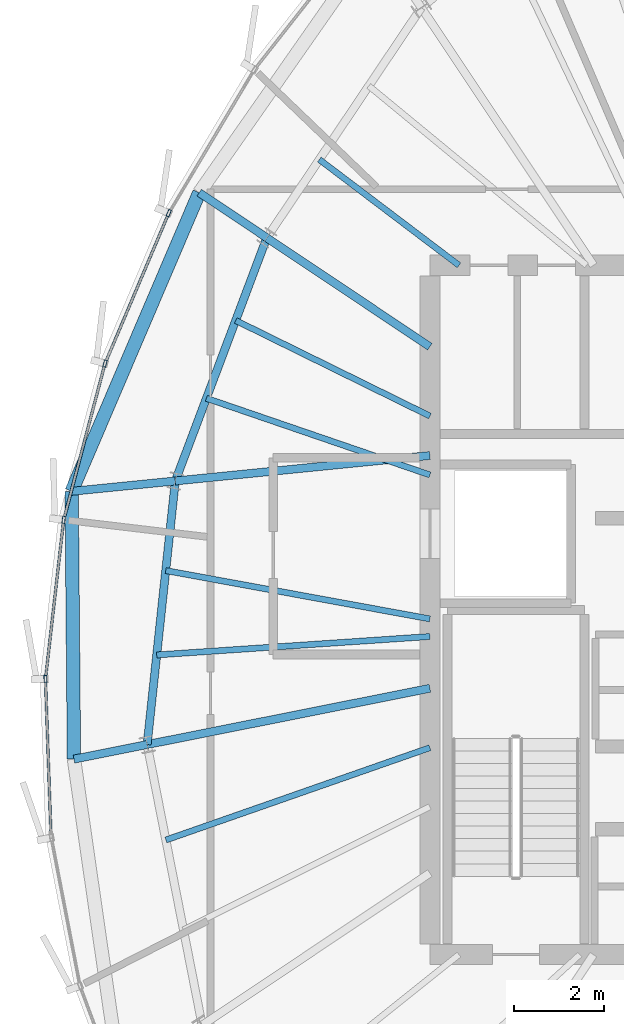
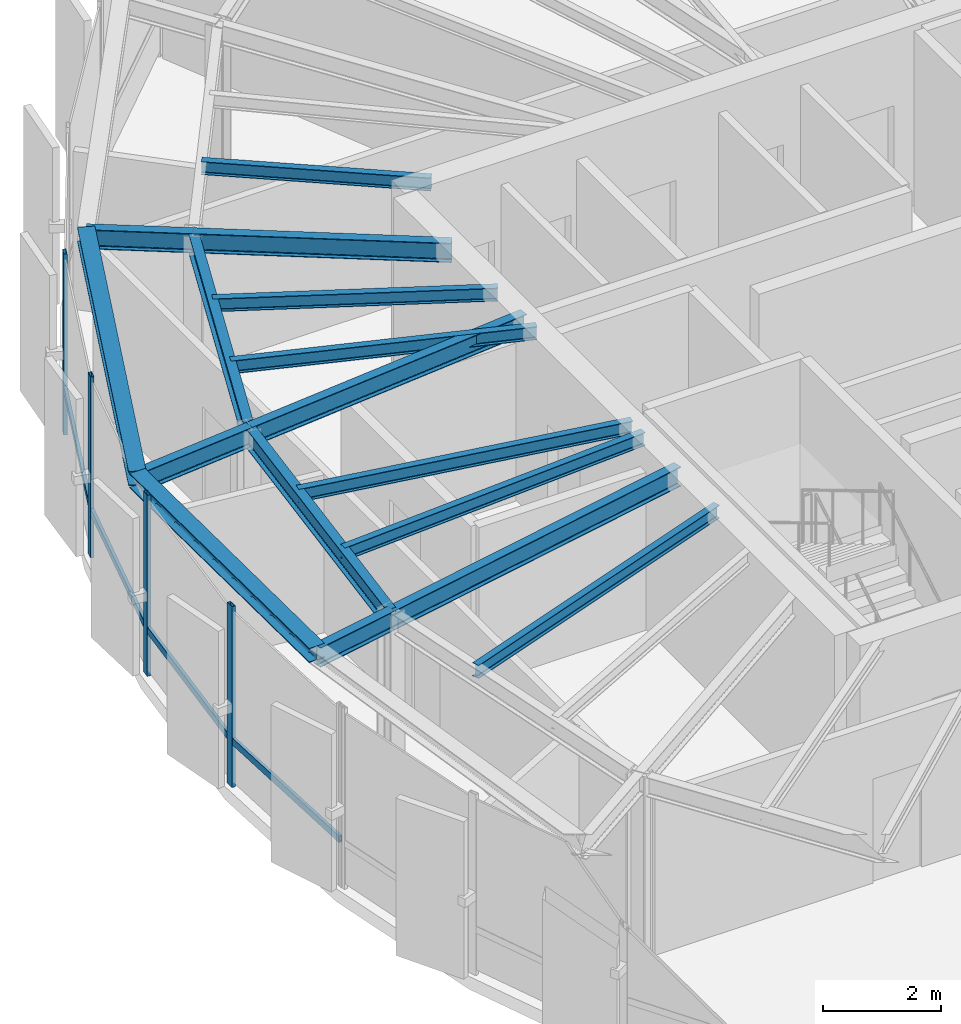
# One storey, part 10 of 26: 16 beams, 8 members, 1 element without a shape of its own.
"""IFC4 building model written with IfcOpenShell, lengths in metres."""

from ifc_helpers import new_model, si_unit, direction, frame, origin, origin_2d, place, context, subcontext, project, spatial, hollow_rectangle, i_section, extrude, source, transform, mapped, material, layer, layer_set, material_profile, profile_set, type_object, element, aggregate, save


model = new_model("IFC4")

# Units and contexts
model_context = context("Model", 3, precision=1e-05, world=origin(), true_north=direction((0.0, 1.0)))
body_context = subcontext(model_context, "Body", "Model", "MODEL_VIEW")
ifc_project = project(units=[si_unit("LENGTHUNIT", "METRE"), si_unit("AREAUNIT", "SQUARE_METRE"), si_unit("VOLUMEUNIT", "CUBIC_METRE"), si_unit("PLANEANGLEUNIT", "RADIAN"), si_unit("MASSUNIT", "GRAM", prefix="KILO"), si_unit("THERMODYNAMICTEMPERATUREUNIT", "KELVIN")], contexts=[model_context])

# Site, building, storey
site_placement = place(None, origin())
site = spatial("IfcSite", under=ifc_project, at=site_placement, CompositionType="ELEMENT")
building_placement = place(site_placement, origin())
building = spatial("IfcBuilding", under=site, at=building_placement, Name="Kethvar Cultural Tower", CompositionType="ELEMENT")
storey_placement = place(building_placement, frame((0.0, 0.0, 320.300048828125)))
storey = spatial("IfcBuildingStorey", under=building, at=storey_placement, Name="L85", CompositionType="ELEMENT", Elevation=320.300048828125)

# Beams
ifc_material_1 = material(Name="Steel S355J2", Category="steel")
ifc_material_profile_1 = material_profile(ifc_material_1, i_section(OverallWidth=0.135009765625, OverallDepth=0.27001953125, WebThickness=0.006591796875, FlangeThickness=0.01025390625, FilletRadius=0.014892578125, at=origin_2d()), Name="Steel S355J2 — IPE270")
ifc_profile_set_1 = profile_set([ifc_material_profile_1], Name="Steel S355J2 — IPE270")
beam_type_1 = type_object("IfcBeamType", Name="BM-J270", PredefinedType="JOIST", material=ifc_profile_set_1)
shared_shape_1 = source(origin(), body_context, "Body", "SweptSolid", [
    extrude(i_section(OverallWidth=0.135009765625, OverallDepth=0.27001953125, WebThickness=0.006591796875, FlangeThickness=0.01025390625, FilletRadius=0.014892578125, at=origin_2d()), origin(), (0.0, 0.0, 1.0), 3.91357421875),
])
beam_1_placement = place(storey_placement, frame((38.64990234375, 35.5, 3.597900390625), z_axis=(-0.797214062325, 0.603696727531, 0.0), x_axis=(-0.603696727531, -0.797214062325, 0.0)))
element("IfcBeam", 1, at=beam_1_placement, inside=storey, type_object=beam_type_1, Name="L85 Composite Floor Joist J-06B", PredefinedType="JOIST", context=body_context, shape_type="MappedRepresentation", body=[
    mapped(shared_shape_1, transform((0.0, 0.0, 0.0), scale=1.0)),
])
shared_shape_2 = source(origin(), body_context, "Body", "SweptSolid", [
    extrude(i_section(OverallWidth=0.135009765625, OverallDepth=0.27001953125, WebThickness=0.006591796875, FlangeThickness=0.01025390625, FilletRadius=0.014892578125, at=origin_2d()), origin(), (0.0, 0.0, 1.0), 4.8359375),
])
beam_2_placement = place(storey_placement, frame((38.0, 32.1318359375, 3.597900390625), z_axis=(-0.897196527088, 0.441631511308, 0.0), x_axis=(-0.441631511308, -0.897196527088, 0.0)))
element("IfcBeam", 2, at=beam_2_placement, inside=storey, type_object=beam_type_1, Name="L85 Composite Floor Joist J-07A", PredefinedType="JOIST", context=body_context, shape_type="MappedRepresentation", body=[
    mapped(shared_shape_2, transform((0.0, 0.0, 0.0), scale=1.0)),
])
shared_shape_3 = source(origin(), body_context, "Body", "SweptSolid", [
    extrude(i_section(OverallWidth=0.135009765625, OverallDepth=0.27001953125, WebThickness=0.006591796875, FlangeThickness=0.01025390625, FilletRadius=0.014892578125, at=origin_2d()), origin(), (0.0, 0.0, 1.0), 5.2783203125),
])
beam_3_placement = place(storey_placement, frame((38.0, 30.817138671875, 3.597900390625), z_axis=(-0.945942702368, 0.324333784607, 0.0), x_axis=(-0.324333784607, -0.945942702368, 0.0)))
element("IfcBeam", 3, at=beam_3_placement, inside=storey, type_object=beam_type_1, Name="L85 Composite Floor Joist J-07B", PredefinedType="JOIST", context=body_context, shape_type="MappedRepresentation", body=[
    mapped(shared_shape_3, transform((0.0, 0.0, 0.0), scale=1.0)),
])
shared_shape_4 = source(origin(), body_context, "Body", "SweptSolid", [
    extrude(i_section(OverallWidth=0.135009765625, OverallDepth=0.27001953125, WebThickness=0.006591796875, FlangeThickness=0.01025390625, FilletRadius=0.014892578125, at=origin_2d()), origin(), (0.0, 0.0, 1.0), 5.99951171875),
])
beam_4_placement = place(storey_placement, frame((38.0, 27.60009765625, 3.597900390625), z_axis=(-0.983676616141, 0.179945310742, 0.0), x_axis=(-0.179945310742, -0.983676616141, 0.0)))
element("IfcBeam", 4, at=beam_4_placement, inside=storey, type_object=beam_type_1, Name="L85 Composite Floor Joist J-08A", PredefinedType="JOIST", context=body_context, shape_type="MappedRepresentation", body=[
    mapped(shared_shape_4, transform((0.0, 0.0, 0.0), scale=1.0)),
])
shared_shape_5 = source(origin(), body_context, "Body", "SweptSolid", [
    extrude(i_section(OverallWidth=0.135009765625, OverallDepth=0.27001953125, WebThickness=0.006591796875, FlangeThickness=0.01025390625, FilletRadius=0.014892578125, at=origin_2d()), origin(), (0.0, 0.0, 1.0), 6.116943359375),
])
beam_5_placement = place(storey_placement, frame((38.0, 27.206787109375, 3.597900390625), z_axis=(-0.997733289627, -0.067292516454, 0.0), x_axis=(0.067292516454, -0.997733289627, 0.0)))
element("IfcBeam", 5, at=beam_5_placement, inside=storey, type_object=beam_type_1, Name="L85 Composite Floor Joist J-08B", PredefinedType="JOIST", context=body_context, shape_type="MappedRepresentation", body=[
    mapped(shared_shape_5, transform((0.0, 0.0, 0.0), scale=1.0)),
])
shared_shape_6 = source(origin(), body_context, "Body", "SweptSolid", [
    extrude(i_section(OverallWidth=0.135009765625, OverallDepth=0.27001953125, WebThickness=0.006591796875, FlangeThickness=0.01025390625, FilletRadius=0.014892578125, at=origin_2d()), origin(), (0.0, 0.0, 1.0), 6.248779296875),
])
beam_6_placement = place(storey_placement, frame((38.0, 24.722900390625, 3.597900390625), z_axis=(-0.943960031743, -0.330059780148, 0.0), x_axis=(0.330059780148, -0.943960031743, 0.0)))
element("IfcBeam", 6, at=beam_6_placement, inside=storey, type_object=beam_type_1, Name="L85 Composite Floor Joist J-09A", PredefinedType="JOIST", context=body_context, shape_type="MappedRepresentation", body=[
    mapped(shared_shape_6, transform((0.0, 0.0, 0.0), scale=1.0)),
])
ifc_material_profile_2 = material_profile(ifc_material_1, i_section(OverallWidth=0.179931640625, OverallDepth=0.39990234375, WebThickness=0.008544921875, FlangeThickness=0.013427734375, FilletRadius=0.02099609375, at=origin_2d()), Name="Steel S355J2 — IPE400")
ifc_profile_set_2 = profile_set([ifc_material_profile_2], Name="Steel S355J2 — IPE400")
beam_type_2 = type_object("IfcBeamType", Name="BM-IPE400", PredefinedType="BEAM", material=ifc_profile_set_2)
shared_shape_7 = source(origin(), body_context, "Body", "SweptSolid", [
    extrude(i_section(OverallWidth=0.179931640625, OverallDepth=0.39990234375, WebThickness=0.008544921875, FlangeThickness=0.013427734375, FilletRadius=0.02099609375, at=origin_2d()), origin(), (0.0, 0.0, 1.0), 4.3828125),
])
beam_7_placement = place(storey_placement, frame((38.0, 33.679931640625, 3.532958984375), z_axis=(-0.831449909861, 0.555599718676, 0.0), x_axis=(-0.555599718676, -0.831449909861, 0.0)))
element("IfcBeam", 7, at=beam_7_placement, inside=storey, type_object=beam_type_2, Name="L85 Primary Radial Beam RB-07", PredefinedType="BEAM", context=body_context, shape_type="MappedRepresentation", body=[
    mapped(shared_shape_7, transform((0.0, 0.0, 0.0), scale=1.0)),
])
shared_shape_8 = source(origin(), body_context, "Body", "SweptSolid", [
    extrude(i_section(OverallWidth=0.179931640625, OverallDepth=0.39990234375, WebThickness=0.008544921875, FlangeThickness=0.013427734375, FilletRadius=0.02099609375, at=origin_2d()), origin(), (0.0, 0.0, 1.0), 5.7158203125),
])
beam_8_placement = place(storey_placement, frame((38.0, 31.25, 3.532958984375), z_axis=(-0.995048179628, -0.099393763478, 0.0), x_axis=(0.099393763478, -0.995048179628, 0.0)))
element("IfcBeam", 8, at=beam_8_placement, inside=storey, type_object=beam_type_2, Name="L85 Primary Radial Beam RB-08", PredefinedType="BEAM", context=body_context, shape_type="MappedRepresentation", body=[
    mapped(shared_shape_8, transform((0.0, 0.0, 0.0), scale=1.0)),
])
shared_shape_9 = source(origin(), body_context, "Body", "SweptSolid", [
    extrude(i_section(OverallWidth=0.179931640625, OverallDepth=0.39990234375, WebThickness=0.008544921875, FlangeThickness=0.013427734375, FilletRadius=0.02099609375, at=origin_2d()), origin(), (0.0, 0.0, 1.0), 6.440673828125),
])
beam_9_placement = place(storey_placement, frame((38.0, 26.049560546875, 3.532958984375), z_axis=(-0.980782804096, -0.195102770839, 0.0), x_axis=(0.195102770839, -0.980782804096, 0.0)))
element("IfcBeam", 9, at=beam_9_placement, inside=storey, type_object=beam_type_2, Name="L85 Primary Radial Beam RB-09", PredefinedType="BEAM", context=body_context, shape_type="MappedRepresentation", body=[
    mapped(shared_shape_9, transform((0.0, 0.0, 0.0), scale=1.0)),
])
shared_shape_10 = source(origin(), body_context, "Body", "SweptSolid", [
    extrude(i_section(OverallWidth=0.179931640625, OverallDepth=0.39990234375, WebThickness=0.008544921875, FlangeThickness=0.013427734375, FilletRadius=0.02099609375, at=origin_2d()), origin(), (0.0, 0.0, 1.0), 5.8046875),
])
beam_10_placement = place(storey_placement, frame((34.35595703125, 36.114990234375, 3.532958984375), z_axis=(-0.352035902861, -0.935986497283, 0.0), x_axis=(0.935986497283, -0.352035902861, 0.0)))
element("IfcBeam", 10, at=beam_10_placement, inside=storey, type_object=beam_type_2, Name="L85 Column Ring Tie Beam CR-07", PredefinedType="BEAM", context=body_context, shape_type="MappedRepresentation", body=[
    mapped(shared_shape_10, transform((0.0, 0.0, 0.0), scale=1.0)),
])
shared_shape_11 = source(origin(), body_context, "Body", "SweptSolid", [
    extrude(i_section(OverallWidth=0.179931640625, OverallDepth=0.39990234375, WebThickness=0.008544921875, FlangeThickness=0.013427734375, FilletRadius=0.02099609375, at=origin_2d()), origin(), (0.0, 0.0, 1.0), 5.92236328125),
])
beam_11_placement = place(storey_placement, frame((32.3125, 30.681884765625, 3.532958984375), z_axis=(-0.106272578913, -0.994337034899, 0.0), x_axis=(0.994337034899, -0.106272578913, 0.0)))
element("IfcBeam", 11, at=beam_11_placement, inside=storey, type_object=beam_type_2, Name="L85 Column Ring Tie Beam CR-08", PredefinedType="BEAM", context=body_context, shape_type="MappedRepresentation", body=[
    mapped(shared_shape_11, transform((0.0, 0.0, 0.0), scale=1.0)),
])
shared_shape_12 = source(origin(), body_context, "Body", "SweptSolid", [
    extrude(i_section(OverallWidth=0.179931640625, OverallDepth=0.39990234375, WebThickness=0.008544921875, FlangeThickness=0.013427734375, FilletRadius=0.02099609375, at=origin_2d()), origin(), (0.0, 0.0, 1.0), 1.813720703125),
])
beam_12_placement = place(storey_placement, frame((34.35595703125, 36.114990234375, 3.532958984375), z_axis=(-0.831490719183, 0.555538643042, 0.0), x_axis=(-0.555538643042, -0.831490719183, 0.0)))
element("IfcBeam", 12, at=beam_12_placement, inside=storey, type_object=beam_type_2, Name="L85 Perimeter Cantilever Beam RC-07", PredefinedType="BEAM", context=body_context, shape_type="MappedRepresentation", body=[
    mapped(shared_shape_12, transform((0.0, 0.0, 0.0), scale=1.0)),
])
shared_shape_13 = source(origin(), body_context, "Body", "SweptSolid", [
    extrude(i_section(OverallWidth=0.179931640625, OverallDepth=0.39990234375, WebThickness=0.008544921875, FlangeThickness=0.013427734375, FilletRadius=0.02099609375, at=origin_2d()), origin(), (0.0, 0.0, 1.0), 2.327880859375),
])
beam_13_placement = place(storey_placement, frame((32.3125, 30.681884765625, 3.532958984375), z_axis=(-0.995045493602, -0.099420650077, 0.0), x_axis=(0.099420650077, -0.995045493602, 0.0)))
element("IfcBeam", 13, at=beam_13_placement, inside=storey, type_object=beam_type_2, Name="L85 Perimeter Cantilever Beam RC-08", PredefinedType="BEAM", context=body_context, shape_type="MappedRepresentation", body=[
    mapped(shared_shape_13, transform((0.0, 0.0, 0.0), scale=1.0)),
])
shared_shape_14 = source(origin(), body_context, "Body", "SweptSolid", [
    extrude(i_section(OverallWidth=0.179931640625, OverallDepth=0.39990234375, WebThickness=0.008544921875, FlangeThickness=0.013427734375, FilletRadius=0.02099609375, at=origin_2d()), origin(), (0.0, 0.0, 1.0), 1.6669921875),
])
beam_14_placement = place(storey_placement, frame((31.68310546875, 24.79296875, 3.532958984375), z_axis=(-0.980788534345, -0.195073962632, 0.0), x_axis=(0.195073962632, -0.980788534345, 0.0)))
element("IfcBeam", 14, at=beam_14_placement, inside=storey, type_object=beam_type_2, Name="L85 Perimeter Cantilever Beam RC-09", PredefinedType="BEAM", context=body_context, shape_type="MappedRepresentation", body=[
    mapped(shared_shape_14, transform((0.0, 0.0, 0.0), scale=1.0)),
])
ifc_material_profile_3 = material_profile(ifc_material_1, i_section(OverallWidth=0.300048828125, OverallDepth=0.300048828125, WebThickness=0.010986328125, FlangeThickness=0.01904296875, FilletRadius=0.027099609375, at=origin_2d()), Name="Steel S355J2 — HEB300")
ifc_profile_set_3 = profile_set([ifc_material_profile_3], Name="Steel S355J2 — HEB300")
beam_type_3 = type_object("IfcBeamType", Name="BM-SP300", PredefinedType="SPANDREL", material=ifc_profile_set_3)
shared_shape_15 = source(origin(), body_context, "Body", "SweptSolid", [
    extrude(i_section(OverallWidth=0.300048828125, OverallDepth=0.300048828125, WebThickness=0.010986328125, FlangeThickness=0.01904296875, FilletRadius=0.027099609375, at=origin_2d()), origin(), (0.0, 0.0, 1.0), 7.256103515625),
])
beam_15_placement = place(storey_placement, frame((32.847900390625, 37.12255859375, 3.5830078125), z_axis=(-0.393025737715, -0.919527470766, 0.0), x_axis=(0.919527470766, -0.393025737715, 0.0)))
element("IfcBeam", 15, at=beam_15_placement, inside=storey, type_object=beam_type_3, Name="L85 Perimeter Spandrel Beam SP-07", PredefinedType="SPANDREL", context=body_context, shape_type="MappedRepresentation", body=[
    mapped(shared_shape_15, transform((0.0, 0.0, 0.0), scale=1.0)),
])
shared_shape_16 = source(origin(), body_context, "Body", "SweptSolid", [
    extrude(i_section(OverallWidth=0.300048828125, OverallDepth=0.300048828125, WebThickness=0.010986328125, FlangeThickness=0.01904296875, FilletRadius=0.027099609375, at=origin_2d()), origin(), (0.0, 0.0, 1.0), 5.98291015625),
])
beam_16_placement = place(storey_placement, frame((29.99609375, 30.450439453125, 3.5830078125), z_axis=(0.008691775315, -0.999962225807, 0.0), x_axis=(0.999962225807, 0.008691775315, 0.0)))
element("IfcBeam", 16, at=beam_16_placement, inside=storey, type_object=beam_type_3, Name="L85 Perimeter Spandrel Beam SP-08", PredefinedType="SPANDREL", context=body_context, shape_type="MappedRepresentation", body=[
    mapped(shared_shape_16, transform((0.0, 0.0, 0.0), scale=1.0)),
])

# Curtain wall, members
ifc_material_2 = material(Name="Aluminium 6063-T6", Category="aluminium")
ifc_layer = layer(ifc_material_2, 0.179931640625, Name="Aluminium 6063-T6", Category="aluminium")
ifc_layer_set = layer_set([ifc_layer], Name="Aluminium 6063-T6 (180 mm)")
curtain_wall_type = type_object("IfcCurtainWallType", Name="CW-SYS-06-CROWN", PredefinedType="NOTDEFINED", material=ifc_layer_set)
curtain_wall_placement = place(storey_placement, origin())
curtain_wall = element("IfcCurtainWall", 17, at=curtain_wall_placement, inside=storey, type_object=curtain_wall_type, Name="L85 Curtain Wall Run 02", PredefinedType="NOTDEFINED")
ifc_material_profile_4 = material_profile(ifc_material_2, hollow_rectangle(XDim=0.06494140625, YDim=0.159912109375, WallThickness=0.0048828125, at=origin_2d()), Name="Aluminium 6063-T6 — RHS160x65x5")
ifc_profile_set_4 = profile_set([ifc_material_profile_4], Name="Aluminium 6063-T6 — RHS160x65x5")
member_type_1 = type_object("IfcMemberType", Name="CW-SYS-06-CROWN-MUL", PredefinedType="MULLION", material=ifc_profile_set_4)
shared_shape_17 = source(origin(), body_context, "Body", "SweptSolid", [
    extrude(hollow_rectangle(XDim=0.06494140625, YDim=0.159912109375, WallThickness=0.0048828125, at=origin_2d()), origin(), (0.0, 0.0, 1.0), 3.73486328125),
])
member_1_placement = place(storey_placement, frame((32.166748046875, 36.666015625, 0.0), z_axis=(0.0, 0.0, 1.0), x_axis=(0.920756984653, -0.390136610961, 0.0)))
member_1 = element("IfcMember", 18, at=member_1_placement, type_object=member_type_1, Name="CW-L85-R02 Mullion 3", PredefinedType="MULLION", context=body_context, shape_type="MappedRepresentation", body=[
    mapped(shared_shape_17, transform((0.0, 0.0, 0.0), scale=1.0)),
])
member_2_placement = place(storey_placement, frame((30.7421875, 33.306884765625, 0.0), z_axis=(0.0, 0.0, 1.0), x_axis=(0.966832304755, -0.255412009277, 0.0)))
member_2 = element("IfcMember", 19, at=member_2_placement, type_object=member_type_1, Name="CW-L85-R02 Mullion 4", PredefinedType="MULLION", context=body_context, shape_type="MappedRepresentation", body=[
    mapped(shared_shape_17, transform((0.0, 0.0, 0.0), scale=1.0)),
])
member_3_placement = place(storey_placement, frame((29.818115234375, 29.813720703125, 0.0), z_axis=(0.0, 0.0, 1.0), x_axis=(0.993552082856, -0.113376623045, 0.0)))
member_3 = element("IfcMember", 20, at=member_3_placement, type_object=member_type_1, Name="CW-L85-R02 Mullion 5", PredefinedType="MULLION", context=body_context, shape_type="MappedRepresentation", body=[
    mapped(shared_shape_17, transform((0.0, 0.0, 0.0), scale=1.0)),
])
member_4_placement = place(storey_placement, frame((29.4111328125, 26.260009765625, 0.0), z_axis=(0.0, 0.0, 1.0), x_axis=(0.99937858391, 0.035248347778, 0.0)))
member_4 = element("IfcMember", 21, at=member_4_placement, type_object=member_type_1, Name="CW-L85-R02 Mullion 6", PredefinedType="MULLION", context=body_context, shape_type="MappedRepresentation", body=[
    mapped(shared_shape_17, transform((0.0, 0.0, 0.0), scale=1.0)),
])
ifc_material_profile_5 = material_profile(ifc_material_2, hollow_rectangle(XDim=0.06005859375, YDim=0.139892578125, WallThickness=0.0048828125, at=origin_2d()), Name="Aluminium 6063-T6 — RHS140x60x5")
ifc_profile_set_5 = profile_set([ifc_material_profile_5], Name="Aluminium 6063-T6 — RHS140x60x5")
member_type_2 = type_object("IfcMemberType", Name="CW-SYS-06-CROWN-TRN", PredefinedType="USERDEFINED", material=ifc_profile_set_5)
shared_shape_18 = source(origin(), body_context, "Body", "SweptSolid", [
    extrude(hollow_rectangle(XDim=0.06005859375, YDim=0.139892578125, WallThickness=0.0048828125, at=origin_2d()), origin(), (0.0, 0.0, 1.0), 3.572021484375),
])
member_5_placement = place(storey_placement, frame((32.1484375, 36.622802734375, 0.949951171875), z_axis=(-0.390121535633, -0.920763372119, 0.0), x_axis=(0.920763372119, -0.390121535633, 0.0)))
member_5 = element("IfcMember", 22, at=member_5_placement, type_object=member_type_2, Name="CW-L85-R02 Transom 3", ObjectType="TRANSOM", PredefinedType="USERDEFINED", context=body_context, shape_type="MappedRepresentation", body=[
    mapped(shared_shape_18, transform((0.0, 0.0, 0.0), scale=1.0)),
])
shared_shape_19 = source(origin(), body_context, "Body", "SweptSolid", [
    extrude(hollow_rectangle(XDim=0.06005859375, YDim=0.139892578125, WallThickness=0.0048828125, at=origin_2d()), origin(), (0.0, 0.0, 1.0), 3.536865234375),
])
member_6_placement = place(storey_placement, frame((30.730224609375, 33.26171875, 0.949951171875), z_axis=(-0.255393557672, -0.966837179002, 0.0), x_axis=(0.966837179002, -0.255393557672, 0.0)))
member_6 = element("IfcMember", 23, at=member_6_placement, type_object=member_type_2, Name="CW-L85-R02 Transom 4", ObjectType="TRANSOM", PredefinedType="USERDEFINED", context=body_context, shape_type="MappedRepresentation", body=[
    mapped(shared_shape_19, transform((0.0, 0.0, 0.0), scale=1.0)),
])
shared_shape_20 = source(origin(), body_context, "Body", "SweptSolid", [
    extrude(hollow_rectangle(XDim=0.06005859375, YDim=0.139892578125, WallThickness=0.0048828125, at=origin_2d()), origin(), (0.0, 0.0, 1.0), 3.501220703125),
])
member_7_placement = place(storey_placement, frame((29.812744140625, 29.767333984375, 0.949951171875), z_axis=(-0.113377467197, -0.993551986527, 0.0), x_axis=(0.993551986527, -0.113377467197, 0.0)))
member_7 = element("IfcMember", 24, at=member_7_placement, type_object=member_type_2, Name="CW-L85-R02 Transom 5", ObjectType="TRANSOM", PredefinedType="USERDEFINED", context=body_context, shape_type="MappedRepresentation", body=[
    mapped(shared_shape_20, transform((0.0, 0.0, 0.0), scale=1.0)),
])
shared_shape_21 = source(origin(), body_context, "Body", "SweptSolid", [
    extrude(hollow_rectangle(XDim=0.06005859375, YDim=0.139892578125, WallThickness=0.0048828125, at=origin_2d()), origin(), (0.0, 0.0, 1.0), 3.433349609375),
])
member_8_placement = place(storey_placement, frame((29.412841796875, 26.213134765625, 0.949951171875), z_axis=(0.035270484576, -0.999377802894, 0.0), x_axis=(0.999377802894, 0.035270484576, 0.0)))
member_8 = element("IfcMember", 25, at=member_8_placement, type_object=member_type_2, Name="CW-L85-R02 Transom 6", ObjectType="TRANSOM", PredefinedType="USERDEFINED", context=body_context, shape_type="MappedRepresentation", body=[
    mapped(shared_shape_21, transform((0.0, 0.0, 0.0), scale=1.0)),
])
aggregate(curtain_wall, [member_1, member_2, member_3, member_4, member_5, member_6, member_7, member_8])

save(model, "model.ifc")
